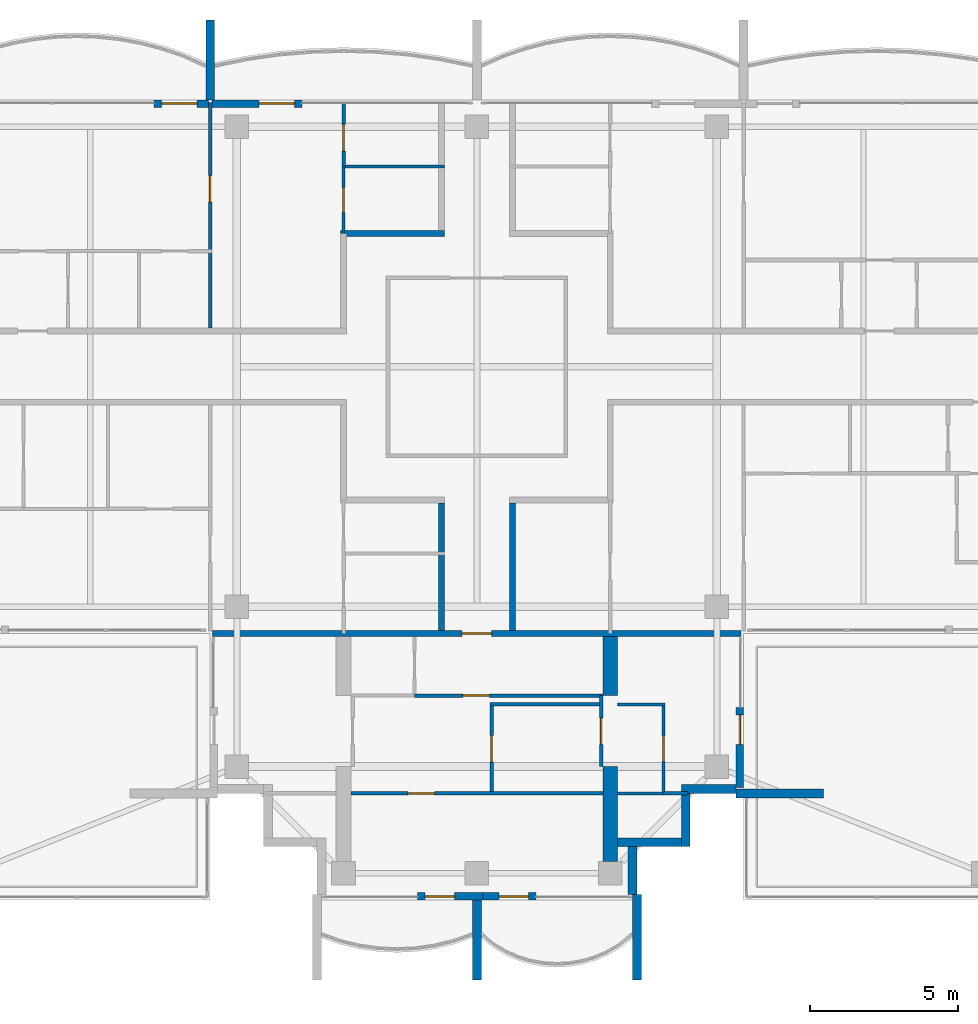
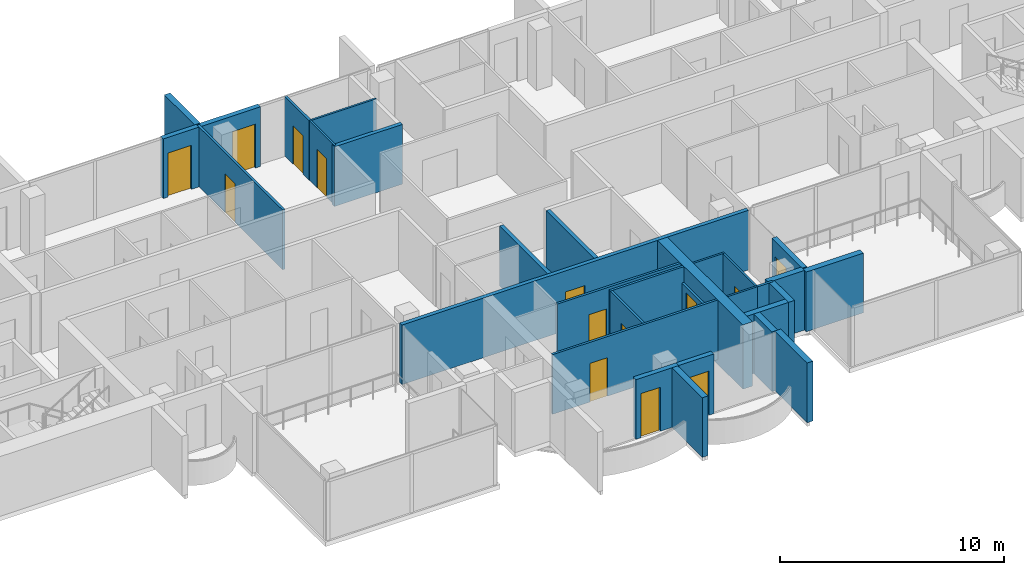
# One storey, part 9 of 16: 31 walls, 14 doors, 14 openings.
"""IFC4 building model written with IfcOpenShell, lengths in metres."""

from ifc_helpers import new_model, si_unit, direction, frame, frame_2d, origin, place, context, subcontext, project, spatial, polyline, rectangle, outline, extrude, material, layer, layer_set, material_profile, profile_set, type_object, element, fill, save


model = new_model("IFC4")

# Units and contexts
model_context = context("Model", 3, precision=1e-05, world=origin(), true_north=direction((0.0, 1.0)))
body_context = subcontext(model_context, "Body", "Model", "MODEL_VIEW")
ifc_project = project(units=[si_unit("LENGTHUNIT", "METRE"), si_unit("AREAUNIT", "SQUARE_METRE"), si_unit("VOLUMEUNIT", "CUBIC_METRE"), si_unit("PLANEANGLEUNIT", "RADIAN"), si_unit("MASSUNIT", "GRAM", prefix="KILO")], contexts=[model_context])

# Site, building, storey
site_placement = place(None, origin())
site = spatial("IfcSite", under=ifc_project, at=site_placement, CompositionType="ELEMENT")
building_placement = place(site_placement, origin())
building = spatial("IfcBuilding", under=site, at=building_placement, Name="Perihelion Cross Residences", CompositionType="ELEMENT")
storey_placement = place(building_placement, frame((0.0, 0.0, 257.0)))
storey = spatial("IfcBuildingStorey", under=building, at=storey_placement, Name="L65", CompositionType="ELEMENT", Elevation=257.0)

# Walls
ifc_material_1 = material(Name="Plasterboard partition")
ifc_layer_1 = layer(ifc_material_1, 0.199951171875)
ifc_layer_set_1 = layer_set([ifc_layer_1], Name="Apartment separation wall 200")
wall_type_1 = type_object("IfcWallType", Name="Apartment separation wall 200", PredefinedType="PARTITIONING", material=ifc_layer_set_1)
wall_1_placement = place(storey_placement, frame((1.199951171875, -4.60009765625, 0.0), z_axis=(0.0, 0.0, 1.0), x_axis=(0.0, -1.0, 0.0)))
element("IfcWall", 1, at=wall_1_placement, inside=storey, type_object=wall_type_1, Name="Partition L65 W012", PredefinedType="PARTITIONING", context=body_context, shape_type="SweptSolid", body=[
    extrude(rectangle(XDim=4.2998046875, YDim=0.199951171875, at=frame_2d((2.14990234375, 0.0))), origin(), (0.0, 0.0, 1.0), 3.25),
])
wall_2_placement = place(storey_placement, frame((-4.60009765625, 4.5, 0.0), z_axis=(0.0, 0.0, 1.0), x_axis=(1.0, 0.0, 0.0)))
element("IfcWall", 2, at=wall_2_placement, inside=storey, type_object=wall_type_1, Name="Partition L65 W015", PredefinedType="PARTITIONING", context=body_context, shape_type="SweptSolid", body=[
    extrude(rectangle(XDim=3.5, YDim=0.199951171875, at=frame_2d((1.75, 0.0))), origin(), (0.0, 0.0, 1.0), 3.25),
])
wall_3_placement = place(storey_placement, frame((-1.199951171875, -8.89990234375, 0.0), z_axis=(0.0, 0.0, 1.0), x_axis=(0.0, 1.0, 0.0)))
element("IfcWall", 3, at=wall_3_placement, inside=storey, type_object=wall_type_1, Name="Partition L65 W019", PredefinedType="PARTITIONING", context=body_context, shape_type="SweptSolid", body=[
    extrude(rectangle(XDim=4.2998046875, YDim=0.199951171875, at=frame_2d((2.14990234375, 0.0))), origin(), (0.0, 0.0, 1.0), 3.25),
])

# Wall, opening, door
wall_4_placement = place(storey_placement, frame((8.919921875, -9.0, 0.0), z_axis=(0.0, 0.0, 1.0), x_axis=(-1.0, 0.0, 0.0)))
wall_4 = element("IfcWall", 4, at=wall_4_placement, inside=storey, type_object=wall_type_1, Name="Partition L65 W021", PredefinedType="PARTITIONING", context=body_context, shape_type="SweptSolid", body=[
    extrude(rectangle(XDim=17.83984375, YDim=0.199951171875, at=frame_2d((8.919921875, 0.0))), origin(), (0.0, 0.0, 1.0), 3.25),
])
opening_1_placement = place(wall_4_placement, frame((8.419921875, 0.0, 0.0)))
opening_1 = element("IfcOpeningElement", 5, at=opening_1_placement, cuts=wall_4, Name="Opening L65.A34", PredefinedType="OPENING", context=body_context, shape_type="SweptSolid", body=[
    extrude(rectangle(XDim=1.0, YDim=2.10009765625, at=frame_2d((0.5, 1.050048828125))), frame((0.0, 0.10986328125, 0.0), z_axis=(0.0, -1.0, 0.0), x_axis=(1.0, 0.0, 0.0)), (0.0, 0.0, 1.0), 0.219970703125),
])
ifc_material_2 = material(Name="Timber door leaf", Category="wood")
door_type_1 = type_object("IfcDoorType", Name="Flat entrance door 1000 x 2100", OperationType="SINGLE_SWING_LEFT", PredefinedType="DOOR", material=ifc_material_2)
door_1_placement = place(opening_1_placement, origin())
door_1 = element("IfcDoor", 6, at=door_1_placement, inside=storey, type_object=door_type_1, Name="Door L65.A34", OperationType="SINGLE_SWING_RIGHT", OverallHeight=2.10009765625, OverallWidth=1.0, PredefinedType="DOOR", context=body_context, shape_type="SweptSolid", body=[
    extrude(rectangle(XDim=1.0, YDim=2.10009765625, at=frame_2d((0.5, 1.050048828125))), frame((0.0, 0.02490234375, 0.0), z_axis=(0.0, -1.0, 0.0), x_axis=(1.0, 0.0, 0.0)), (0.0, 0.0, 1.0), 0.050048828125),
])
fill(opening_1, door_1)

ifc_material_3 = material(Name="Concrete C30/37, bronze-clad", Category="concrete")
ifc_layer_2 = layer(ifc_material_3, 0.25)
ifc_layer_set_2 = layer_set([ifc_layer_2], Name="Bronze-clad pier wall 250")
wall_type_2 = type_object("IfcWallType", Name="Bronze-clad pier wall 250", PredefinedType="SOLIDWALL", material=ifc_layer_set_2)
wall_5_placement = place(storey_placement, frame((-5.89990234375, 8.875, 0.0), z_axis=(0.0, 0.0, 1.0), x_axis=(-1.0, 0.0, 0.0)))
wall_5 = element("IfcWall", 7, at=wall_5_placement, inside=storey, type_object=wall_type_2, Name="Wall FW1 L65 north side east bay 2 pier", PredefinedType="SOLIDWALL", context=body_context, shape_type="SweptSolid", body=[
    extrude(rectangle(XDim=3.0400390625, YDim=0.25, at=frame_2d((1.52001953125, 0.0))), origin(), (0.0, 0.0, 1.0), 3.25),
])
opening_2_placement = place(wall_5_placement, frame((0.25, 0.0, 0.0)))
opening_2 = element("IfcOpeningElement", 8, at=opening_2_placement, cuts=wall_5, Name="Opening L65.E04", PredefinedType="OPENING", context=body_context, shape_type="SweptSolid", body=[
    extrude(rectangle(XDim=1.199951171875, YDim=2.39990234375, at=frame_2d((0.60009765625, 1.199951171875))), frame((0.0, 0.135009765625, 0.0), z_axis=(0.0, -1.0, 0.0), x_axis=(1.0, 0.0, 0.0)), (0.0, 0.0, 1.0), 0.27001953125),
])
ifc_material_4 = material(Name="Bronze anodised aluminium, glazed", Category="aluminium")
door_type_2 = type_object("IfcDoorType", Name="Balcony door 1200 x 2400", OperationType="NOTDEFINED", PredefinedType="DOOR", material=ifc_material_4)
door_2_placement = place(opening_2_placement, origin())
door_2 = element("IfcDoor", 9, at=door_2_placement, inside=storey, type_object=door_type_2, Name="Door L65.E04 north side east bay 2", OperationType="SINGLE_SWING_RIGHT", OverallHeight=2.39990234375, OverallWidth=1.199951171875, PredefinedType="DOOR", context=body_context, shape_type="SweptSolid", body=[
    extrude(rectangle(XDim=1.199951171875, YDim=2.39990234375, at=frame_2d((0.60009765625, 1.199951171875))), frame((0.0, 0.02490234375, 0.0), z_axis=(0.0, -1.0, 0.0), x_axis=(1.0, 0.0, 0.0)), (0.0, 0.0, 1.0), 0.050048828125),
])
fill(opening_2, door_2)

wall_6_placement = place(storey_placement, frame((-9.06005859375, 8.875, 0.0), z_axis=(0.0, 0.0, 1.0), x_axis=(-1.0, 0.0, 0.0)))
wall_6 = element("IfcWall", 10, at=wall_6_placement, inside=storey, type_object=wall_type_2, Name="Wall FW1 L65 west side north bay 1 pier", PredefinedType="SOLIDWALL", context=body_context, shape_type="SweptSolid", body=[
    extrude(rectangle(XDim=1.83984375, YDim=0.25, at=frame_2d((0.919921875, 0.0))), origin(), (0.0, 0.0, 1.0), 3.25),
])
opening_3_placement = place(wall_6_placement, frame((0.389892578125, 0.0, 0.0)))
opening_3 = element("IfcOpeningElement", 11, at=opening_3_placement, cuts=wall_6, Name="Opening L65.E05", PredefinedType="OPENING", context=body_context, shape_type="SweptSolid", body=[
    extrude(rectangle(XDim=1.199951171875, YDim=2.39990234375, at=frame_2d((0.60009765625, 1.199951171875))), frame((0.0, 0.135009765625, 0.0), z_axis=(0.0, -1.0, 0.0), x_axis=(1.0, 0.0, 0.0)), (0.0, 0.0, 1.0), 0.27001953125),
])
door_3_placement = place(opening_3_placement, origin())
door_3 = element("IfcDoor", 12, at=door_3_placement, inside=storey, type_object=door_type_2, Name="Door L65.E05 west side north bay 1", OperationType="SINGLE_SWING_LEFT", OverallHeight=2.39990234375, OverallWidth=1.199951171875, PredefinedType="DOOR", context=body_context, shape_type="SweptSolid", body=[
    extrude(rectangle(XDim=1.199951171875, YDim=2.39990234375, at=frame_2d((0.60009765625, 1.199951171875))), frame((0.0, 0.02490234375, 0.0), z_axis=(0.0, -1.0, 0.0), x_axis=(1.0, 0.0, 0.0)), (0.0, 0.0, 1.0), 0.050048828125),
])
fill(opening_3, door_3)

wall_7_placement = place(storey_placement, frame((-2.0, -17.875, 0.0), z_axis=(0.0, 0.0, 1.0), x_axis=(1.0, 0.0, 0.0)))
wall_7 = element("IfcWall", 13, at=wall_7_placement, inside=storey, type_object=wall_type_2, Name="Wall FW1 L65 south tip south bay 1 pier", PredefinedType="SOLIDWALL", context=body_context, shape_type="SweptSolid", body=[
    extrude(rectangle(XDim=2.199951171875, YDim=0.25, at=frame_2d((1.10009765625, 0.0))), origin(), (0.0, 0.0, 1.0), 3.25),
])
opening_4_placement = place(wall_7_placement, frame((0.25, 0.0, 0.0)))
opening_4 = element("IfcOpeningElement", 14, at=opening_4_placement, cuts=wall_7, Name="Opening L65.E10", PredefinedType="OPENING", context=body_context, shape_type="SweptSolid", body=[
    extrude(rectangle(XDim=1.0, YDim=2.39990234375, at=frame_2d((0.5, 1.199951171875))), frame((0.0, 0.135009765625, 0.0), z_axis=(0.0, -1.0, 0.0), x_axis=(1.0, 0.0, 0.0)), (0.0, 0.0, 1.0), 0.27001953125),
])
ifc_material_5 = material(Name="Bronze anodised aluminium, glazed", Category="aluminium")
door_type_3 = type_object("IfcDoorType", Name="Balcony door 1000 x 2400", OperationType="NOTDEFINED", PredefinedType="DOOR", material=ifc_material_5)
door_4_placement = place(opening_4_placement, origin())
door_4 = element("IfcDoor", 15, at=door_4_placement, inside=storey, type_object=door_type_3, Name="Door L65.E10 south tip south bay 1", OperationType="SINGLE_SWING_RIGHT", OverallHeight=2.39990234375, OverallWidth=1.0, PredefinedType="DOOR", context=body_context, shape_type="SweptSolid", body=[
    extrude(rectangle(XDim=1.0, YDim=2.39990234375, at=frame_2d((0.5, 1.199951171875))), frame((0.0, 0.02490234375, 0.0), z_axis=(0.0, -1.0, 0.0), x_axis=(1.0, 0.0, 0.0)), (0.0, 0.0, 1.0), 0.050048828125),
])
fill(opening_4, door_4)

wall_8_placement = place(storey_placement, frame((0.199951171875, -17.875, 0.0), z_axis=(0.0, 0.0, 1.0), x_axis=(1.0, 0.0, 0.0)))
wall_8 = element("IfcWall", 16, at=wall_8_placement, inside=storey, type_object=wall_type_2, Name="Wall FW1 L65 south tip south bay 2 pier", PredefinedType="SOLIDWALL", context=body_context, shape_type="SweptSolid", body=[
    extrude(rectangle(XDim=1.800048828125, YDim=0.25, at=frame_2d((0.89990234375, 0.0))), origin(), (0.0, 0.0, 1.0), 3.25),
])
opening_5_placement = place(wall_8_placement, frame((0.550048828125, 0.0, 0.0)))
opening_5 = element("IfcOpeningElement", 17, at=opening_5_placement, cuts=wall_8, Name="Opening L65.E11", PredefinedType="OPENING", context=body_context, shape_type="SweptSolid", body=[
    extrude(rectangle(XDim=1.0, YDim=2.39990234375, at=frame_2d((0.5, 1.199951171875))), frame((0.0, 0.135009765625, 0.0), z_axis=(0.0, -1.0, 0.0), x_axis=(1.0, 0.0, 0.0)), (0.0, 0.0, 1.0), 0.27001953125),
])
door_5_placement = place(opening_5_placement, origin())
door_5 = element("IfcDoor", 18, at=door_5_placement, inside=storey, type_object=door_type_3, Name="Door L65.E11 south tip south bay 2", OperationType="SINGLE_SWING_LEFT", OverallHeight=2.39990234375, OverallWidth=1.0, PredefinedType="DOOR", context=body_context, shape_type="SweptSolid", body=[
    extrude(rectangle(XDim=1.0, YDim=2.39990234375, at=frame_2d((0.5, 1.199951171875))), frame((0.0, 0.02490234375, 0.0), z_axis=(0.0, -1.0, 0.0), x_axis=(1.0, 0.0, 0.0)), (0.0, 0.0, 1.0), 0.050048828125),
])
fill(opening_5, door_5)

wall_9_placement = place(storey_placement, frame((8.875, -14.199951171875, 0.0), z_axis=(0.0, 0.0, 1.0), x_axis=(0.0, 1.0, 0.0)))
wall_9 = element("IfcWall", 19, at=wall_9_placement, inside=storey, type_object=wall_type_2, Name="Wall FW1 L65 south side east bay 1 pier", PredefinedType="SOLIDWALL", context=body_context, shape_type="SweptSolid", body=[
    extrude(rectangle(XDim=2.699951171875, YDim=0.25, at=frame_2d((1.35009765625, 0.0))), origin(), (0.0, 0.0, 1.0), 3.25),
])
opening_6_placement = place(wall_9_placement, frame((1.449951171875, 0.0, 0.0)))
opening_6 = element("IfcOpeningElement", 20, at=opening_6_placement, cuts=wall_9, Name="Opening L65.E12", PredefinedType="OPENING", context=body_context, shape_type="SweptSolid", body=[
    extrude(rectangle(XDim=1.0, YDim=2.39990234375, at=frame_2d((0.5, 1.199951171875))), frame((0.0, 0.135009765625, 0.0), z_axis=(0.0, -1.0, 0.0), x_axis=(1.0, 0.0, 0.0)), (0.0, 0.0, 1.0), 0.27001953125),
])
door_6_placement = place(opening_6_placement, origin())
door_6 = element("IfcDoor", 21, at=door_6_placement, inside=storey, type_object=door_type_3, Name="Door L65.E12 south side east bay 1", OperationType="SINGLE_SWING_RIGHT", OverallHeight=2.39990234375, OverallWidth=1.0, PredefinedType="DOOR", context=body_context, shape_type="SweptSolid", body=[
    extrude(rectangle(XDim=1.0, YDim=2.39990234375, at=frame_2d((0.5, 1.199951171875))), frame((0.0, 0.02490234375, 0.0), z_axis=(0.0, -1.0, 0.0), x_axis=(1.0, 0.0, 0.0)), (0.0, 0.0, 1.0), 0.050048828125),
])
fill(opening_6, door_6)

# Walls
ifc_material_6 = material(Name="Concrete C30/37, bronze-clad", Category="concrete")
ifc_layer_3 = layer(ifc_material_6, 0.300048828125)
ifc_layer_set_3 = layer_set([ifc_layer_3], Name="Bronze-clad serration wall 300")
wall_type_3 = type_object("IfcWallType", Name="Bronze-clad serration wall 300", PredefinedType="SOLIDWALL", material=ifc_layer_set_3)
wall_10_placement = place(storey_placement, frame((5.25, -17.820068359375, 0.0), z_axis=(0.0, 0.0, 1.0), x_axis=(0.0, 1.0, 0.0)))
element("IfcWall", 22, at=wall_10_placement, inside=storey, type_object=wall_type_3, Name="Wall SR1 L65 south corner south-east 1", PredefinedType="SOLIDWALL", context=body_context, shape_type="SweptSolid", body=[
    extrude(rectangle(XDim=1.6201171875, YDim=0.300048828125, at=frame_2d((0.81005859375, 0.0))), origin(), (0.0, 0.0, 1.0), 3.25),
])
wall_11_placement = place(storey_placement, frame((4.75, -16.050048828125, 0.0), z_axis=(0.0, 0.0, 1.0), x_axis=(1.0, 0.0, 0.0)))
element("IfcWall", 23, at=wall_11_placement, inside=storey, type_object=wall_type_3, Name="Wall SR1 L65 south corner south-east 2", PredefinedType="SOLIDWALL", context=body_context, shape_type="SweptSolid", body=[
    extrude(rectangle(XDim=2.14990234375, YDim=0.300048828125, at=frame_2d((1.074951171875, 0.0))), origin(), (0.0, 0.0, 1.0), 3.25),
])
wall_12_placement = place(storey_placement, frame((7.050048828125, -16.199951171875, 0.0), z_axis=(0.0, 0.0, 1.0), x_axis=(0.0, 1.0, 0.0)))
element("IfcWall", 24, at=wall_12_placement, inside=storey, type_object=wall_type_3, Name="Wall SR1 L65 south corner south-east 3", PredefinedType="SOLIDWALL", context=body_context, shape_type="SweptSolid", body=[
    extrude(rectangle(XDim=1.800048828125, YDim=0.300048828125, at=frame_2d((0.89990234375, 0.0))), origin(), (0.0, 0.0, 1.0), 3.25),
])
wall_13_placement = place(storey_placement, frame((6.89990234375, -14.25, 0.0), z_axis=(0.0, 0.0, 1.0), x_axis=(1.0, 0.0, 0.0)))
element("IfcWall", 25, at=wall_13_placement, inside=storey, type_object=wall_type_3, Name="Wall SR1 L65 south corner south-east 4", PredefinedType="SOLIDWALL", context=body_context, shape_type="SweptSolid", body=[
    extrude(rectangle(XDim=1.85009765625, YDim=0.300048828125, at=frame_2d((0.925048828125, 0.0))), origin(), (0.0, 0.0, 1.0), 3.25),
])

# Wall, opening, door
ifc_material_7 = material(Name="Plasterboard partition")
ifc_layer_4 = layer(ifc_material_7, 0.1201171875)
ifc_layer_set_4 = layer_set([ifc_layer_4], Name="Infill panel 120")
wall_type_4 = type_object("IfcWallType", Name="Infill panel 120", PredefinedType="PARTITIONING", material=ifc_layer_set_4)
wall_14_placement = place(storey_placement, frame((4.18994140625, -11.10009765625, 0.0), z_axis=(0.0, 0.0, 1.0), x_axis=(0.0, -1.0, 0.0)))
wall_14 = element("IfcWall", 26, at=wall_14_placement, inside=storey, type_object=wall_type_4, Name="Partition L65 WI01", PredefinedType="PARTITIONING", context=body_context, shape_type="SweptSolid", body=[
    extrude(rectangle(XDim=2.39990234375, YDim=0.1201171875, at=frame_2d((1.199951171875, 0.0))), origin(), (0.0, 0.0, 1.0), 2.39990234375),
])
opening_7_placement = place(wall_14_placement, frame((0.75, 0.0, 0.0)))
opening_7 = element("IfcOpeningElement", 27, at=opening_7_placement, cuts=wall_14, Name="Opening L65.A44", PredefinedType="OPENING", context=body_context, shape_type="SweptSolid", body=[
    extrude(rectangle(XDim=0.89990234375, YDim=2.10009765625, at=frame_2d((0.449951171875, 1.050048828125))), frame((0.0, 0.070068359375, 0.0), z_axis=(0.0, -1.0, 0.0), x_axis=(1.0, 0.0, 0.0)), (0.0, 0.0, 1.0), 0.14013671875),
])
ifc_material_8 = material(Name="Timber door leaf", Category="wood")
door_type_4 = type_object("IfcDoorType", Name="Interior room door 900 x 2100", OperationType="SINGLE_SWING_LEFT", PredefinedType="DOOR", material=ifc_material_8)
door_7_placement = place(opening_7_placement, origin())
door_7 = element("IfcDoor", 28, at=door_7_placement, inside=storey, type_object=door_type_4, Name="Door L65.A44", OperationType="SINGLE_SWING_LEFT", OverallHeight=2.10009765625, OverallWidth=0.89990234375, PredefinedType="DOOR", context=body_context, shape_type="SweptSolid", body=[
    extrude(rectangle(XDim=0.89990234375, YDim=2.10009765625, at=frame_2d((0.449951171875, 1.050048828125))), frame((0.0, 0.02490234375, 0.0), z_axis=(0.0, -1.0, 0.0), x_axis=(1.0, 0.0, 0.0)), (0.0, 0.0, 1.0), 0.050048828125),
])
fill(opening_7, door_7)

ifc_material_9 = material(Name="Plasterboard partition")
ifc_layer_5 = layer(ifc_material_9, 0.1201171875)
ifc_layer_set_5 = layer_set([ifc_layer_5], Name="Partition wall 120")
wall_type_5 = type_object("IfcWallType", Name="Partition wall 120", PredefinedType="PARTITIONING", material=ifc_layer_set_5)
wall_15_placement = place(storey_placement, frame((-9.0, 8.919921875, 0.0), z_axis=(0.0, 0.0, 1.0), x_axis=(0.0, -1.0, 0.0)))
wall_15 = element("IfcWall", 29, at=wall_15_placement, inside=storey, type_object=wall_type_5, Name="Partition L65 W045", PredefinedType="PARTITIONING", context=body_context, shape_type="SweptSolid", body=[
    extrude(rectangle(XDim=7.619873046875, YDim=0.1201171875, at=frame_2d((3.81005859375, 0.0))), origin(), (0.0, 0.0, 1.0), 3.25),
])
opening_8_placement = place(wall_15_placement, frame((2.469970703125, 0.0, 0.0)))
opening_8 = element("IfcOpeningElement", 30, at=opening_8_placement, cuts=wall_15, Name="Opening L65.A20", PredefinedType="OPENING", context=body_context, shape_type="SweptSolid", body=[
    extrude(rectangle(XDim=0.89990234375, YDim=2.10009765625, at=frame_2d((0.449951171875, 1.050048828125))), frame((0.0, 0.070068359375, 0.0), z_axis=(0.0, -1.0, 0.0), x_axis=(1.0, 0.0, 0.0)), (0.0, 0.0, 1.0), 0.14013671875),
])
door_8_placement = place(opening_8_placement, origin())
door_8 = element("IfcDoor", 31, at=door_8_placement, inside=storey, type_object=door_type_4, Name="Door L65.A20", OperationType="SINGLE_SWING_RIGHT", OverallHeight=2.10009765625, OverallWidth=0.89990234375, PredefinedType="DOOR", context=body_context, shape_type="SweptSolid", body=[
    extrude(rectangle(XDim=0.89990234375, YDim=2.10009765625, at=frame_2d((0.449951171875, 1.050048828125))), frame((0.0, 0.02490234375, 0.0), z_axis=(0.0, -1.0, 0.0), x_axis=(1.0, 0.0, 0.0)), (0.0, 0.0, 1.0), 0.050048828125),
])
fill(opening_8, door_8)

wall_16_placement = place(storey_placement, frame((-4.5, 8.919921875, 0.0), z_axis=(0.0, 0.0, 1.0), x_axis=(0.0, -1.0, 0.0)))
wall_16 = element("IfcWall", 32, at=wall_16_placement, inside=storey, type_object=wall_type_5, Name="Partition L65 W052", PredefinedType="PARTITIONING", context=body_context, shape_type="SweptSolid", body=[
    extrude(rectangle(XDim=2.169921875, YDim=0.1201171875, at=frame_2d((1.0849609375, 0.0))), origin(), (0.0, 0.0, 1.0), 3.25),
])
opening_9_placement = place(wall_16_placement, frame((0.7451171875, 0.0, 0.0)))
opening_9 = element("IfcOpeningElement", 33, at=opening_9_placement, cuts=wall_16, Name="Opening L65.A23", PredefinedType="OPENING", context=body_context, shape_type="SweptSolid", body=[
    extrude(rectangle(XDim=0.89990234375, YDim=2.10009765625, at=frame_2d((0.449951171875, 1.050048828125))), frame((0.0, 0.070068359375, 0.0), z_axis=(0.0, -1.0, 0.0), x_axis=(1.0, 0.0, 0.0)), (0.0, 0.0, 1.0), 0.14013671875),
])
door_9_placement = place(opening_9_placement, origin())
door_9 = element("IfcDoor", 34, at=door_9_placement, inside=storey, type_object=door_type_4, Name="Door L65.A23", OperationType="SINGLE_SWING_LEFT", OverallHeight=2.10009765625, OverallWidth=0.89990234375, PredefinedType="DOOR", context=body_context, shape_type="SweptSolid", body=[
    extrude(rectangle(XDim=0.89990234375, YDim=2.10009765625, at=frame_2d((0.449951171875, 1.050048828125))), frame((0.0, 0.02490234375, 0.0), z_axis=(0.0, -1.0, 0.0), x_axis=(1.0, 0.0, 0.0)), (0.0, 0.0, 1.0), 0.050048828125),
])
fill(opening_9, door_9)

wall_17_placement = place(storey_placement, frame((4.25, -11.10009765625, 0.0), z_axis=(0.0, 0.0, 1.0), x_axis=(-1.0, 0.0, 0.0)))
wall_17 = element("IfcWall", 35, at=wall_17_placement, inside=storey, type_object=wall_type_5, Name="Partition L65 W066", PredefinedType="PARTITIONING", context=body_context, shape_type="SweptSolid", body=[
    extrude(rectangle(XDim=6.35009765625, YDim=0.1201171875, at=frame_2d((3.175048828125, 0.0))), origin(), (0.0, 0.0, 1.0), 3.25),
])
opening_10_placement = place(wall_17_placement, frame((3.824951171875, 0.0, 0.0)))
opening_10 = element("IfcOpeningElement", 36, at=opening_10_placement, cuts=wall_17, Name="Opening L65.A36", PredefinedType="OPENING", context=body_context, shape_type="SweptSolid", body=[
    extrude(rectangle(XDim=0.89990234375, YDim=2.10009765625, at=frame_2d((0.449951171875, 1.050048828125))), frame((0.0, 0.070068359375, 0.0), z_axis=(0.0, -1.0, 0.0), x_axis=(1.0, 0.0, 0.0)), (0.0, 0.0, 1.0), 0.14013671875),
])
door_10_placement = place(opening_10_placement, origin())
door_10 = element("IfcDoor", 37, at=door_10_placement, inside=storey, type_object=door_type_4, Name="Door L65.A36", OperationType="SINGLE_SWING_LEFT", OverallHeight=2.10009765625, OverallWidth=0.89990234375, PredefinedType="DOOR", context=body_context, shape_type="SweptSolid", body=[
    extrude(rectangle(XDim=0.89990234375, YDim=2.10009765625, at=frame_2d((0.449951171875, 1.050048828125))), frame((0.0, 0.02490234375, 0.0), z_axis=(0.0, -1.0, 0.0), x_axis=(1.0, 0.0, 0.0)), (0.0, 0.0, 1.0), 0.050048828125),
])
fill(opening_10, door_10)

# Wall
wall_18_placement = place(storey_placement, frame((4.25, -11.39990234375, 0.0), z_axis=(0.0, 0.0, 1.0), x_axis=(-1.0, 0.0, 0.0)))
element("IfcWall", 38, at=wall_18_placement, inside=storey, type_object=wall_type_5, Name="Partition L65 W068", PredefinedType="PARTITIONING", context=body_context, shape_type="SweptSolid", body=[
    extrude(rectangle(XDim=3.81005859375, YDim=0.1201171875, at=frame_2d((1.905029296875, 0.0))), origin(), (0.0, 0.0, 1.0), 3.25),
])

# Wall, opening, door
wall_19_placement = place(storey_placement, frame((0.5, -11.4599609375, 0.0), z_axis=(0.0, 0.0, 1.0), x_axis=(0.0, -1.0, 0.0)))
wall_19 = element("IfcWall", 39, at=wall_19_placement, inside=storey, type_object=wall_type_5, Name="Partition L65 W069", PredefinedType="PARTITIONING", context=body_context, shape_type="SweptSolid", body=[
    extrude(rectangle(XDim=2.880126953125, YDim=0.1201171875, at=frame_2d((1.43994140625, 0.0))), origin(), (0.0, 0.0, 1.0), 3.25),
])
opening_11_placement = place(wall_19_placement, frame((0.989990234375, 0.0, 0.0)))
opening_11 = element("IfcOpeningElement", 40, at=opening_11_placement, cuts=wall_19, Name="Opening L65.A37", PredefinedType="OPENING", context=body_context, shape_type="SweptSolid", body=[
    extrude(rectangle(XDim=0.89990234375, YDim=2.10009765625, at=frame_2d((0.449951171875, 1.050048828125))), frame((0.0, 0.070068359375, 0.0), z_axis=(0.0, -1.0, 0.0), x_axis=(1.0, 0.0, 0.0)), (0.0, 0.0, 1.0), 0.14013671875),
])
door_11_placement = place(opening_11_placement, origin())
door_11 = element("IfcDoor", 41, at=door_11_placement, inside=storey, type_object=door_type_4, Name="Door L65.A37", OperationType="SINGLE_SWING_RIGHT", OverallHeight=2.10009765625, OverallWidth=0.89990234375, PredefinedType="DOOR", context=body_context, shape_type="SweptSolid", body=[
    extrude(rectangle(XDim=0.89990234375, YDim=2.10009765625, at=frame_2d((0.449951171875, 1.050048828125))), frame((0.0, 0.02490234375, 0.0), z_axis=(0.0, -1.0, 0.0), x_axis=(1.0, 0.0, 0.0)), (0.0, 0.0, 1.0), 0.050048828125),
])
fill(opening_11, door_11)

wall_20_placement = place(storey_placement, frame((4.25, -14.39990234375, 0.0), z_axis=(0.0, 0.0, 1.0), x_axis=(-1.0, 0.0, 0.0)))
wall_20 = element("IfcWall", 42, at=wall_20_placement, inside=storey, type_object=wall_type_5, Name="Partition L65 W070", PredefinedType="PARTITIONING", context=body_context, shape_type="SweptSolid", body=[
    extrude(rectangle(XDim=8.5, YDim=0.1201171875, at=frame_2d((4.25, 0.0))), origin(), (0.0, 0.0, 1.0), 3.25),
])
opening_12_placement = place(wall_20_placement, frame((5.675048828125, 0.0, 0.0)))
opening_12 = element("IfcOpeningElement", 43, at=opening_12_placement, cuts=wall_20, Name="Opening L65.A38", PredefinedType="OPENING", context=body_context, shape_type="SweptSolid", body=[
    extrude(rectangle(XDim=0.89990234375, YDim=2.10009765625, at=frame_2d((0.449951171875, 1.050048828125))), frame((0.0, 0.070068359375, 0.0), z_axis=(0.0, -1.0, 0.0), x_axis=(1.0, 0.0, 0.0)), (0.0, 0.0, 1.0), 0.14013671875),
])
door_12_placement = place(opening_12_placement, origin())
door_12 = element("IfcDoor", 44, at=door_12_placement, inside=storey, type_object=door_type_4, Name="Door L65.A38", OperationType="SINGLE_SWING_RIGHT", OverallHeight=2.10009765625, OverallWidth=0.89990234375, PredefinedType="DOOR", context=body_context, shape_type="SweptSolid", body=[
    extrude(rectangle(XDim=0.89990234375, YDim=2.10009765625, at=frame_2d((0.449951171875, 1.050048828125))), frame((0.0, 0.02490234375, 0.0), z_axis=(0.0, -1.0, 0.0), x_axis=(1.0, 0.0, 0.0)), (0.0, 0.0, 1.0), 0.050048828125),
])
fill(opening_12, door_12)

# Walls
wall_21_placement = place(storey_placement, frame((7.1201171875, -14.39990234375, 0.0), z_axis=(0.0, 0.0, 1.0), x_axis=(-1.0, 0.0, 0.0)))
element("IfcWall", 45, at=wall_21_placement, inside=storey, type_object=wall_type_5, Name="Partition L65 W073", PredefinedType="PARTITIONING", context=body_context, shape_type="SweptSolid", body=[
    extrude(rectangle(XDim=0.820068359375, YDim=0.1201171875, at=frame_2d((0.41015625, 0.0))), origin(), (0.0, 0.0, 1.0), 3.25),
])
ifc_material_10 = material(Name="Precast concrete C50/60", Category="concrete")
ifc_layer_6 = layer(ifc_material_10, 0.300048828125)
ifc_layer_set_6 = layer_set([ifc_layer_6], Name="Precast concrete C50/60 blade wall 300")
wall_type_6 = type_object("IfcWallType", Name="Precast concrete C50/60 blade wall 300", PredefinedType="SOLIDWALL", material=ifc_layer_set_6)
for number, where, z_axis, x_axis, name in (
    (46, (-9.0, 9.0, 0.0), (0.0, 0.0, 1.0), (0.0, 1.0, 0.0), "Wall BL1 L65 no. 7"),
    (47, (0.0, -18.0, 0.0), (0.0, 0.0, 1.0), (0.0, -1.0, 0.0), "Wall BL1 L65 no. 8"),
):
    element("IfcWall", number, at=place(storey_placement, frame(where, z_axis=z_axis, x_axis=x_axis)), inside=storey, type_object=wall_type_6, Name=name, PredefinedType="SOLIDWALL", context=body_context, shape_type="SweptSolid", body=[
        extrude(rectangle(XDim=2.699951171875, YDim=0.300048828125, at=frame_2d((1.35009765625, 0.0))), origin(), (0.0, 0.0, 1.0), 3.25),
    ])
wall_22_placement = place(storey_placement, frame((5.39990234375, -17.820068359375, 0.0), z_axis=(0.0, 0.0, 1.0), x_axis=(0.0, -1.0, 0.0)))
element("IfcWall", 48, at=wall_22_placement, inside=storey, type_object=wall_type_6, Name="Wall BL1 L65 no. 14", PredefinedType="SOLIDWALL", context=body_context, shape_type="SweptSolid", body=[
    extrude(rectangle(XDim=2.8798828125, YDim=0.300048828125, at=frame_2d((1.43994140625, 0.0))), origin(), (0.0, 0.0, 1.0), 3.25),
])
wall_23_placement = place(storey_placement, frame((8.75, -14.39990234375, 0.0), z_axis=(0.0, 0.0, 1.0), x_axis=(1.0, 0.0, 0.0)))
element("IfcWall", 49, at=wall_23_placement, inside=storey, type_object=wall_type_6, Name="Wall BL1 L65 no. 15", PredefinedType="SOLIDWALL", context=body_context, shape_type="SweptSolid", body=[
    extrude(rectangle(XDim=2.949951171875, YDim=0.300048828125, at=frame_2d((1.47509765625, 0.0))), origin(), (0.0, 0.0, 1.0), 3.25),
])
ifc_material_11 = material(Name="Concrete C50/60", Category="concrete")
ifc_material_profile = material_profile(ifc_material_11, outline(polyline([(0.0, 0.0), (3.199951171875, 0.0), (3.199951171875, 2.64990234375), (5.60009765625, 2.64990234375), (5.60009765625, 0.0), (7.699951171875, 0.0), (7.699951171875, 3.5), (0.0, 3.5), (0.0, 0.0)])), Name="Tip spine wall")
ifc_profile_set = profile_set([ifc_material_profile], Name="Concrete C50/60")
wall_type_7 = type_object("IfcWallType", Name="Tip spine wall 500 with 1 door openings 7700 long 3500 high concrete C50/60", PredefinedType="SHEAR", material=ifc_profile_set)
wall_24_placement = place(storey_placement, frame((4.25, -16.699951171875, -0.25), z_axis=(1.0, 0.0, 0.0), x_axis=(0.0, 1.0, 0.0)))
element("IfcWall", 50, at=wall_24_placement, inside=storey, type_object=wall_type_7, Name="Shear wall SW45 L65 south east", PredefinedType="SHEAR", context=body_context, shape_type="SweptSolid", body=[
    extrude(outline(polyline([(0.0, 0.0), (3.199951171875, 0.0), (3.199951171875, 2.64990234375), (5.60009765625, 2.64990234375), (5.60009765625, 0.0), (7.699951171875, 0.0), (7.699951171875, 3.5), (0.0, 3.5), (0.0, 0.0)])), origin(), (0.0, 0.0, 1.0), 0.5),
])

# Wall, opening, door
ifc_material_12 = material(Name="Plasterboard partition")
ifc_layer_7 = layer(ifc_material_12, 0.10009765625)
ifc_layer_set_7 = layer_set([ifc_layer_7], Name="Wet room wall 100")
wall_type_8 = type_object("IfcWallType", Name="Wet room wall 100", PredefinedType="PARTITIONING", material=ifc_layer_set_7)
wall_25_placement = place(storey_placement, frame((-4.5, 6.75, 0.0), z_axis=(0.0, 0.0, 1.0), x_axis=(0.0, -1.0, 0.0)))
wall_25 = element("IfcWall", 51, at=wall_25_placement, inside=storey, type_object=wall_type_8, Name="Partition L65 W051", PredefinedType="PARTITIONING", context=body_context, shape_type="SweptSolid", body=[
    extrude(rectangle(XDim=2.25, YDim=0.10009765625, at=frame_2d((1.125, 0.0))), origin(), (0.0, 0.0, 1.0), 3.25),
])
opening_13_placement = place(wall_25_placement, frame((0.699951171875, 0.0, 0.0)))
opening_13 = element("IfcOpeningElement", 52, at=opening_13_placement, cuts=wall_25, Name="Opening L65.A19", PredefinedType="OPENING", context=body_context, shape_type="SweptSolid", body=[
    extrude(rectangle(XDim=0.85009765625, YDim=2.10009765625, at=frame_2d((0.425048828125, 1.050048828125))), frame((0.0, 0.06005859375, 0.0), z_axis=(0.0, -1.0, 0.0), x_axis=(1.0, 0.0, 0.0)), (0.0, 0.0, 1.0), 0.1201171875),
])
ifc_material_13 = material(Name="Timber door leaf", Category="wood")
door_type_5 = type_object("IfcDoorType", Name="Interior bathroom door 850 x 2100", OperationType="SINGLE_SWING_LEFT", PredefinedType="DOOR", material=ifc_material_13)
door_13_placement = place(opening_13_placement, origin())
door_13 = element("IfcDoor", 53, at=door_13_placement, inside=storey, type_object=door_type_5, Name="Door L65.A19", OperationType="SINGLE_SWING_LEFT", OverallHeight=2.10009765625, OverallWidth=0.85009765625, PredefinedType="DOOR", context=body_context, shape_type="SweptSolid", body=[
    extrude(rectangle(XDim=0.85009765625, YDim=2.10009765625, at=frame_2d((0.425048828125, 1.050048828125))), frame((0.0, 0.02490234375, 0.0), z_axis=(0.0, -1.0, 0.0), x_axis=(1.0, 0.0, 0.0)), (0.0, 0.0, 1.0), 0.050048828125),
])
fill(opening_13, door_13)

# Wall
wall_26_placement = place(storey_placement, frame((-4.56005859375, 6.75, 0.0), z_axis=(0.0, 0.0, 1.0), x_axis=(1.0, 0.0, 0.0)))
element("IfcWall", 54, at=wall_26_placement, inside=storey, type_object=wall_type_8, Name="Partition L65 W053", PredefinedType="PARTITIONING", context=body_context, shape_type="SweptSolid", body=[
    extrude(rectangle(XDim=3.4599609375, YDim=0.10009765625, at=frame_2d((1.72998046875, 0.0))), origin(), (0.0, 0.0, 1.0), 3.25),
])

# Wall, opening, door
wall_27_placement = place(storey_placement, frame((6.300048828125, -14.340087890625, 0.0), z_axis=(0.0, 0.0, 1.0), x_axis=(0.0, 1.0, 0.0)))
wall_27 = element("IfcWall", 55, at=wall_27_placement, inside=storey, type_object=wall_type_8, Name="Partition L65 W071", PredefinedType="PARTITIONING", context=body_context, shape_type="SweptSolid", body=[
    extrude(rectangle(XDim=2.89013671875, YDim=0.10009765625, at=frame_2d((1.445068359375, 0.0))), origin(), (0.0, 0.0, 1.0), 3.25),
])
opening_14_placement = place(wall_27_placement, frame((1.02001953125, 0.0, 0.0)))
opening_14 = element("IfcOpeningElement", 56, at=opening_14_placement, cuts=wall_27, Name="Opening L65.A39", PredefinedType="OPENING", context=body_context, shape_type="SweptSolid", body=[
    extrude(rectangle(XDim=0.85009765625, YDim=2.10009765625, at=frame_2d((0.425048828125, 1.050048828125))), frame((0.0, 0.06005859375, 0.0), z_axis=(0.0, -1.0, 0.0), x_axis=(1.0, 0.0, 0.0)), (0.0, 0.0, 1.0), 0.1201171875),
])
door_14_placement = place(opening_14_placement, origin())
door_14 = element("IfcDoor", 57, at=door_14_placement, inside=storey, type_object=door_type_5, Name="Door L65.A39", OperationType="SINGLE_SWING_LEFT", OverallHeight=2.10009765625, OverallWidth=0.85009765625, PredefinedType="DOOR", context=body_context, shape_type="SweptSolid", body=[
    extrude(rectangle(XDim=0.85009765625, YDim=2.10009765625, at=frame_2d((0.425048828125, 1.050048828125))), frame((0.0, 0.02490234375, 0.0), z_axis=(0.0, -1.0, 0.0), x_axis=(1.0, 0.0, 0.0)), (0.0, 0.0, 1.0), 0.050048828125),
])
fill(opening_14, door_14)

# Walls
wall_28_placement = place(storey_placement, frame((6.35009765625, -11.39990234375, 0.0), z_axis=(0.0, 0.0, 1.0), x_axis=(-1.0, 0.0, 0.0)))
element("IfcWall", 58, at=wall_28_placement, inside=storey, type_object=wall_type_8, Name="Partition L65 W072", PredefinedType="PARTITIONING", context=body_context, shape_type="SweptSolid", body=[
    extrude(rectangle(XDim=1.60009765625, YDim=0.10009765625, at=frame_2d((0.800048828125, 0.0))), origin(), (0.0, 0.0, 1.0), 3.25),
])
wall_29_placement = place(storey_placement, frame((6.300048828125, -14.39990234375, 0.0), z_axis=(0.0, 0.0, 1.0), x_axis=(-1.0, 0.0, 0.0)))
element("IfcWall", 59, at=wall_29_placement, inside=storey, type_object=wall_type_8, Name="Partition L65 W074", PredefinedType="PARTITIONING", context=body_context, shape_type="SweptSolid", body=[
    extrude(rectangle(XDim=1.550048828125, YDim=0.10009765625, at=frame_2d((0.77490234375, 0.0))), origin(), (0.0, 0.0, 1.0), 3.25),
])

save(model, "model.ifc")
